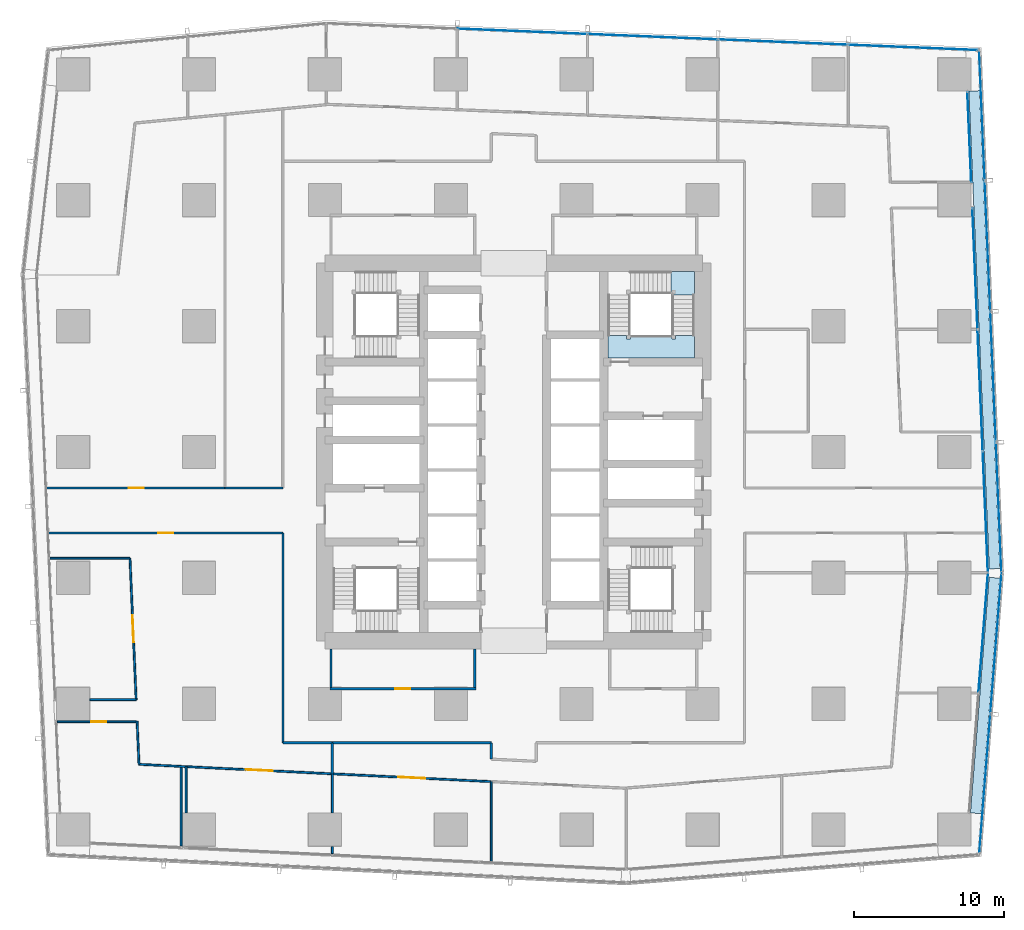
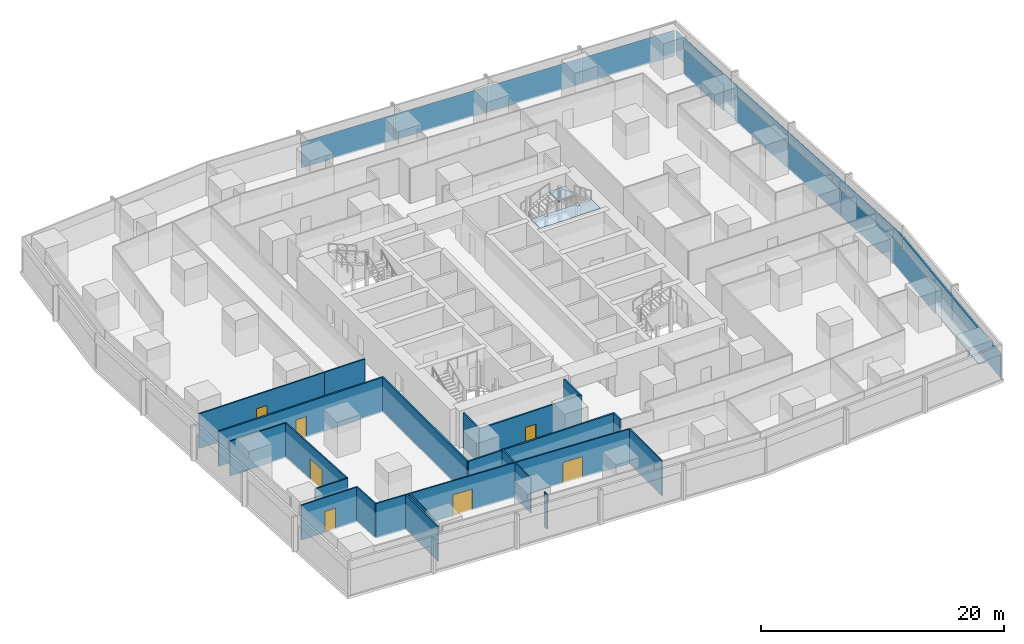
# One storey, part 31 of 44: 24 walls, 17 plates, 7 doors, 2 slabs, 7 openings, 7 elements without a shape of their own.
"""IFC4 building model written with IfcOpenShell, lengths in metres."""

from ifc_helpers import new_model, si_unit, direction, frame, frame_2d, origin, origin_2d, place, context, subcontext, project, spatial, polyline, rectangle, outline, extrude, material, layer, layer_set, type_object, element, fill, aggregate, save


model = new_model("IFC4")

# Units and contexts
model_context = context("Model", 3, precision=1e-05, world=origin(), true_north=direction((0.0, 1.0)))
body_context = subcontext(model_context, "Body", "Model", "MODEL_VIEW")
ifc_project = project(units=[si_unit("LENGTHUNIT", "METRE"), si_unit("AREAUNIT", "SQUARE_METRE"), si_unit("VOLUMEUNIT", "CUBIC_METRE"), si_unit("PLANEANGLEUNIT", "RADIAN"), si_unit("MASSUNIT", "GRAM", prefix="KILO")], contexts=[model_context])

# Site, building, storey
site_placement = place(None, origin())
site = spatial("IfcSite", under=ifc_project, at=site_placement, CompositionType="ELEMENT")
building_placement = place(site_placement, origin())
building = spatial("IfcBuilding", under=site, at=building_placement, Name="Rekha Terrace Tower", CompositionType="ELEMENT")
storey_placement = place(building_placement, frame((0.0, 0.0, 66.64990234375)))
storey = spatial("IfcBuildingStorey", under=building, at=storey_placement, Name="L16", CompositionType="ELEMENT", Elevation=66.64990234375)

# Curtain wall, plate
ifc_material_1 = material(Name="Aluminium framing", Category="aluminium")
curtain_wall_type_1 = type_object("IfcCurtainWallType", Name="CW1 double skin inner glazing", PredefinedType="USERDEFINED", material=ifc_material_1)
curtain_wall_1_placement = place(storey_placement, origin())
curtain_wall_1 = element("IfcCurtainWall", 1, at=curtain_wall_1_placement, inside=storey, type_object=curtain_wall_type_1, Name="CW1 double skin inner glazing", ObjectType="DOUBLE SKIN INNER GLAZING", PredefinedType="USERDEFINED")
ifc_material_2 = material(Name="Double-glazed low-e unit 32", Category="glass")
ifc_layer_1 = layer(ifc_material_2, 0.031982421875)
ifc_layer_set_1 = layer_set([ifc_layer_1], Name="Double-glazed low-e unit 32")
plate_type_1 = type_object("IfcPlateType", Name="CW1 jumbo vision panel, double-glazed low-e unit 32", PredefinedType="CURTAIN_PANEL", material=ifc_layer_set_1)
plate_1_placement = place(storey_placement, frame((69.1220703125, 21.53759765625, 0.0), z_axis=(0.0, 0.0, 1.0), x_axis=(0.079116301, 0.996865392576, 0.0)))
plate_1 = element("IfcPlate", 2, at=plate_1_placement, type_object=plate_type_1, Name="CW1 panel 2.1", PredefinedType="CURTAIN_PANEL", context=body_context, shape_type="SweptSolid", body=[
    extrude(rectangle(XDim=7.988525390625, YDim=0.031982421875, at=origin_2d()), origin(), (0.0, 0.0, 1.0), 2.60009765625),
])
aggregate(curtain_wall_1, [plate_1])

# Curtain wall, plates
curtain_wall_2_placement = place(storey_placement, origin())
curtain_wall_2 = element("IfcCurtainWall", 3, at=curtain_wall_2_placement, inside=storey, type_object=curtain_wall_type_1, Name="CW1 double skin inner glazing", ObjectType="DOUBLE SKIN INNER GLAZING", PredefinedType="USERDEFINED")
plate_2_placement = place(storey_placement, frame((69.263671875, 29.60107421875, 0.0), z_axis=(0.0, 0.0, 1.0), x_axis=(-0.042696072921, 0.999088106904, 0.0)))
plate_2 = element("IfcPlate", 4, at=plate_2_placement, type_object=plate_type_1, Name="CW1 panel 1.1", PredefinedType="CURTAIN_PANEL", context=body_context, shape_type="SweptSolid", body=[
    extrude(rectangle(XDim=8.041015625, YDim=0.031982421875, at=origin_2d()), origin(), (0.0, 0.0, 1.0), 2.60009765625),
])
plate_3_placement = place(storey_placement, frame((68.9169921875, 37.7158203125, 0.0), z_axis=(0.0, 0.0, 1.0), x_axis=(-0.042696072921, 0.999088106904, 0.0)))
plate_3 = element("IfcPlate", 5, at=plate_3_placement, type_object=plate_type_1, Name="CW1 panel 2.1", PredefinedType="CURTAIN_PANEL", context=body_context, shape_type="SweptSolid", body=[
    extrude(rectangle(XDim=8.073486328125, YDim=0.031982421875, at=origin_2d()), origin(), (0.0, 0.0, 1.0), 2.60009765625),
])
plate_4_placement = place(storey_placement, frame((68.5703125, 45.83056640625, 0.0), z_axis=(0.0, 0.0, 1.0), x_axis=(-0.042696072921, 0.999088106904, 0.0)))
plate_4 = element("IfcPlate", 6, at=plate_4_placement, type_object=plate_type_1, Name="CW1 panel 3.1", PredefinedType="CURTAIN_PANEL", context=body_context, shape_type="SweptSolid", body=[
    extrude(rectangle(XDim=8.041015625, YDim=0.031982421875, at=origin_2d()), origin(), (0.0, 0.0, 1.0), 2.60009765625),
])
aggregate(curtain_wall_2, [plate_2, plate_3, plate_4])

# Curtain wall, plate
curtain_wall_3_placement = place(storey_placement, origin())
curtain_wall_3 = element("IfcCurtainWall", 7, at=curtain_wall_3_placement, inside=storey, type_object=curtain_wall_type_1, Name="CW1 double skin inner glazing", ObjectType="DOUBLE SKIN INNER GLAZING", PredefinedType="USERDEFINED")
plate_5_placement = place(storey_placement, frame((68.195556640625, 54.60009765625, 0.0), z_axis=(0.0, 0.0, 1.0), x_axis=(-0.042696073026, 0.9990881069, 0.0)))
plate_5 = element("IfcPlate", 8, at=plate_5_placement, type_object=plate_type_1, Name="CW1 panel 1.1", PredefinedType="CURTAIN_PANEL", context=body_context, shape_type="SweptSolid", body=[
    extrude(rectangle(XDim=6.027587890625, YDim=0.031982421875, at=origin_2d()), origin(), (0.0, 0.0, 1.0), 2.60009765625),
])
aggregate(curtain_wall_3, [plate_5])

# Curtain wall, plates
curtain_wall_type_2 = type_object("IfcCurtainWallType", Name="CW2 double skin outer glazing", PredefinedType="USERDEFINED", material=ifc_material_1)
curtain_wall_4_placement = place(storey_placement, origin())
curtain_wall_4 = element("IfcCurtainWall", 9, at=curtain_wall_4_placement, inside=storey, type_object=curtain_wall_type_2, Name="CW2 double skin outer glazing", ObjectType="DOUBLE SKIN OUTER GLAZING", PredefinedType="USERDEFINED")
ifc_material_3 = material(Name="Toughened single glazing 12", Category="glass")
ifc_layer_2 = layer(ifc_material_3, 0.011962890625)
ifc_layer_set_2 = layer_set([ifc_layer_2], Name="Toughened single glazing 12")
plate_type_2 = type_object("IfcPlateType", Name="CW2 jumbo vision panel, toughened single glazing 12", PredefinedType="CURTAIN_PANEL", material=ifc_layer_set_2)
plate_6_placement = place(storey_placement, frame((69.22509765625, 11.45703125, 0.0), z_axis=(0.0, 0.0, 1.0), x_axis=(0.079116301017, 0.996865392575, 0.0)))
plate_6 = element("IfcPlate", 10, at=plate_6_placement, type_object=plate_type_2, Name="CW2 panel 1.1", PredefinedType="CURTAIN_PANEL", context=body_context, shape_type="SweptSolid", body=[
    extrude(rectangle(XDim=9.28662109375, YDim=0.011962890625, at=origin_2d()), origin(), (0.0, 0.0, 1.0), 2.60009765625),
])
plate_7_placement = place(storey_placement, frame((69.96923828125, 20.834228515625, 0.0), z_axis=(0.0, 0.0, 1.0), x_axis=(0.079116301017, 0.996865392575, 0.0)))
plate_7 = element("IfcPlate", 11, at=plate_7_placement, type_object=plate_type_2, Name="CW2 panel 2.1", PredefinedType="CURTAIN_PANEL", context=body_context, shape_type="SweptSolid", body=[
    extrude(rectangle(XDim=9.36669921875, YDim=0.011962890625, at=origin_2d()), origin(), (0.0, 0.0, 1.0), 2.60009765625),
])
aggregate(curtain_wall_4, [plate_6, plate_7])

curtain_wall_5_placement = place(storey_placement, origin())
curtain_wall_5 = element("IfcCurtainWall", 12, at=curtain_wall_5_placement, inside=storey, type_object=curtain_wall_type_2, Name="CW2 double skin outer glazing", ObjectType="DOUBLE SKIN OUTER GLAZING", PredefinedType="USERDEFINED")
plate_8_placement = place(storey_placement, frame((70.152099609375, 29.890869140625, 0.0), z_axis=(0.0, 0.0, 1.0), x_axis=(-0.042696072956, 0.999088106903, 0.0)))
plate_8 = element("IfcPlate", 13, at=plate_8_placement, type_object=plate_type_2, Name="CW2 panel 1.1", PredefinedType="CURTAIN_PANEL", context=body_context, shape_type="SweptSolid", body=[
    extrude(rectangle(XDim=8.623779296875, YDim=0.011962890625, at=origin_2d()), origin(), (0.0, 0.0, 1.0), 2.60009765625),
])
plate_9_placement = place(storey_placement, frame((69.77978515625, 38.606689453125, 0.0), z_axis=(0.0, 0.0, 1.0), x_axis=(-0.042696072956, 0.999088106903, 0.0)))
plate_9 = element("IfcPlate", 14, at=plate_9_placement, type_object=plate_type_2, Name="CW2 panel 2.1", PredefinedType="CURTAIN_PANEL", context=body_context, shape_type="SweptSolid", body=[
    extrude(rectangle(XDim=8.663818359375, YDim=0.011962890625, at=origin_2d()), origin(), (0.0, 0.0, 1.0), 2.60009765625),
])
plate_10_placement = place(storey_placement, frame((69.406494140625, 47.342529296875, 0.0), z_axis=(0.0, 0.0, 1.0), x_axis=(-0.042696072956, 0.999088106903, 0.0)))
plate_10 = element("IfcPlate", 15, at=plate_10_placement, type_object=plate_type_2, Name="CW2 panel 3.1", PredefinedType="CURTAIN_PANEL", context=body_context, shape_type="SweptSolid", body=[
    extrude(rectangle(XDim=8.663818359375, YDim=0.011962890625, at=origin_2d()), origin(), (0.0, 0.0, 1.0), 2.60009765625),
])
plate_11_placement = place(storey_placement, frame((69.033935546875, 56.058349609375, 0.0), z_axis=(0.0, 0.0, 1.0), x_axis=(-0.042696072956, 0.999088106903, 0.0)))
plate_11 = element("IfcPlate", 16, at=plate_11_placement, type_object=plate_type_2, Name="CW2 panel 4.1", PredefinedType="CURTAIN_PANEL", context=body_context, shape_type="SweptSolid", body=[
    extrude(rectangle(XDim=8.623779296875, YDim=0.011962890625, at=origin_2d()), origin(), (0.0, 0.0, 1.0), 2.60009765625),
])
aggregate(curtain_wall_5, [plate_8, plate_9, plate_10, plate_11])

curtain_wall_type_3 = type_object("IfcCurtainWallType", Name="CW3 north unitised glazing", PredefinedType="USERDEFINED", material=ifc_material_1)
curtain_wall_6_placement = place(storey_placement, origin())
curtain_wall_6 = element("IfcCurtainWall", 17, at=curtain_wall_6_placement, inside=storey, type_object=curtain_wall_type_3, Name="CW3 unitised curtain wall", ObjectType="UNITISED CURTAIN WALL", PredefinedType="USERDEFINED")
ifc_material_4 = material(Name="Double-glazed unit 28", Category="glass")
ifc_layer_3 = layer(ifc_material_4, 0.028076171875)
ifc_layer_set_3 = layer_set([ifc_layer_3], Name="Double-glazed unit 28")
plate_type_3 = type_object("IfcPlateType", Name="CW3 jumbo vision panel, double-glazed unit 28", PredefinedType="CURTAIN_PANEL", material=ifc_layer_set_3)
plate_12_placement = place(storey_placement, frame((64.4423828125, 60.587646484375, 0.0), z_axis=(0.0, 0.0, 1.0), x_axis=(-0.999151997647, 0.041173846041, 0.0)))
plate_12 = element("IfcPlate", 18, at=plate_12_placement, type_object=plate_type_3, Name="CW3 panel 1.1", PredefinedType="CURTAIN_PANEL", context=body_context, shape_type="SweptSolid", body=[
    extrude(rectangle(XDim=8.598876953125, YDim=0.028076171875, at=origin_2d()), origin(), (0.0, 0.0, 1.0), 2.60009765625),
])
plate_13_placement = place(storey_placement, frame((55.76318359375, 60.9453125, 0.0), z_axis=(0.0, 0.0, 1.0), x_axis=(-0.999151997647, 0.041173846041, 0.0)))
plate_13 = element("IfcPlate", 19, at=plate_13_placement, type_object=plate_type_3, Name="CW3 panel 2.1", PredefinedType="CURTAIN_PANEL", context=body_context, shape_type="SweptSolid", body=[
    extrude(rectangle(XDim=8.6337890625, YDim=0.028076171875, at=origin_2d()), origin(), (0.0, 0.0, 1.0), 2.60009765625),
])
plate_14_placement = place(storey_placement, frame((47.066650390625, 61.3037109375, 0.0), z_axis=(0.0, 0.0, 1.0), x_axis=(-0.999151997647, 0.041173846041, 0.0)))
plate_14 = element("IfcPlate", 20, at=plate_14_placement, type_object=plate_type_3, Name="CW3 panel 3.1", PredefinedType="CURTAIN_PANEL", context=body_context, shape_type="SweptSolid", body=[
    extrude(rectangle(XDim=8.6337890625, YDim=0.028076171875, at=origin_2d()), origin(), (0.0, 0.0, 1.0), 2.60009765625),
])
plate_15_placement = place(storey_placement, frame((38.370361328125, 61.662109375, 0.0), z_axis=(0.0, 0.0, 1.0), x_axis=(-0.999151997647, 0.041173846041, 0.0)))
plate_15 = element("IfcPlate", 21, at=plate_15_placement, type_object=plate_type_3, Name="CW3 panel 4.1", PredefinedType="CURTAIN_PANEL", context=body_context, shape_type="SweptSolid", body=[
    extrude(rectangle(XDim=8.6337890625, YDim=0.028076171875, at=origin_2d()), origin(), (0.0, 0.0, 1.0), 2.60009765625),
])
aggregate(curtain_wall_6, [plate_12, plate_13, plate_14, plate_15])

# Plates
ifc_material_5 = material(Name="Galvanised steel open grating", Category="steel")
ifc_layer_4 = layer(ifc_material_5, 0.050048828125)
ifc_layer_set_4 = layer_set([ifc_layer_4], Name="Galvanised steel open grating")
plate_type_4 = type_object("IfcPlateType", Name="GT1 cavity walkway grating 50", PredefinedType="USERDEFINED", material=ifc_layer_set_4)
plate_16_placement = place(storey_placement, frame((69.241455078125, 17.353515625, 0.0), z_axis=(0.0, 0.0, 1.0), x_axis=(0.079116301, 0.996865392576, 0.0)))
element("IfcPlate", 22, at=plate_16_placement, inside=storey, type_object=plate_type_4, Name="Cavity walkway grating", ObjectType="CAVITY WALKWAY GRATING", PredefinedType="USERDEFINED", context=body_context, shape_type="SweptSolid", body=[
    extrude(rectangle(XDim=15.7666015625, YDim=0.705078125, at=origin_2d()), origin(), (0.0, 0.0, 1.0), 0.050048828125),
])
plate_17_placement = place(storey_placement, frame((69.195068359375, 41.75, 0.0), z_axis=(0.0, 0.0, 1.0), x_axis=(-0.042696072939, 0.999088106903, 0.0)))
element("IfcPlate", 23, at=plate_17_placement, inside=storey, type_object=plate_type_4, Name="Cavity walkway grating", ObjectType="CAVITY WALKWAY GRATING", PredefinedType="USERDEFINED", context=body_context, shape_type="SweptSolid", body=[
    extrude(rectangle(XDim=31.9072265625, YDim=0.705078125, at=origin_2d()), origin(), (0.0, 0.0, 1.0), 0.050048828125),
])

# Stair, slabs
ifc_material_6 = material(Name="Concrete M40", Category="concrete")
stair_type = type_object("IfcStairType", Name="ST30 stair, 30 risers of 125, going 300, 1500 wide flights, 3 flights", PredefinedType="HALF_TURN_STAIR", material=ifc_material_6)
stair_placement = place(storey_placement, origin())
stair = element("IfcStair", 24, at=stair_placement, inside=storey, type_object=stair_type, Name="Stair ST2 L16 to L17", PredefinedType="HALF_TURN_STAIR")
ifc_layer_5 = layer(ifc_material_6, 0.199951171875)
ifc_layer_set_5 = layer_set([ifc_layer_5], Name="Concrete M40")
slab_type = type_object("IfcSlabType", Name="LD1 200 concrete stair landing", PredefinedType="LANDING", material=ifc_layer_set_5)
slab_1_placement = place(storey_placement, frame((0.0, 0.0, 2.300048828125)))
slab_1 = element("IfcSlab", 25, at=slab_1_placement, type_object=slab_type, Name="ST2 landing 2", PredefinedType="LANDING", context=body_context, shape_type="SweptSolid", body=[
    extrude(outline(polyline([(48.35009765625, 44.074951171875), (49.85009765625, 44.074951171875), (49.85009765625, 45.64990234375), (48.27490234375, 45.64990234375), (48.27490234375, 44.14990234375), (48.35009765625, 44.14990234375), (48.35009765625, 44.074951171875)])), origin(), (0.0, 0.0, 1.0), 0.199951171875),
])
slab_2_placement = place(storey_placement, frame((0.0, 0.0, 3.550048828125)))
slab_2 = element("IfcSlab", 26, at=slab_2_placement, type_object=slab_type, Name="ST2 landing 3", PredefinedType="LANDING", context=body_context, shape_type="SweptSolid", body=[
    extrude(outline(polyline([(44.074951171875, 41.375), (44.074951171875, 39.875), (49.85009765625, 39.875), (49.85009765625, 41.375), (48.60009765625, 41.375), (48.60009765625, 41.125), (48.35009765625, 41.125), (48.35009765625, 41.375), (45.574951171875, 41.375), (45.574951171875, 41.125), (45.324951171875, 41.125), (45.324951171875, 41.375), (44.074951171875, 41.375)])), origin(), (0.0, 0.0, 1.0), 0.199951171875),
])
aggregate(stair, [slab_1, slab_2])

# Wall, opening, door
ifc_material_7 = material(Name="Concrete block masonry, 1 hour", Category="masonry")
ifc_layer_6 = layer(ifc_material_7, 0.14990234375)
ifc_layer_set_6 = layer_set([ifc_layer_6], Name="Concrete block masonry, 1 hour")
wall_type_1 = type_object("IfcWallType", Name="WP2 150 tenancy partition", PredefinedType="PARTITIONING", material=ifc_layer_set_6)
wall_1_placement = place(storey_placement, frame((25.52490234375, 17.800048828125, 0.0), z_axis=(0.0, 0.0, 1.0), x_axis=(1.0, 0.0, 0.0)))
wall_1 = element("IfcWall", 27, at=wall_1_placement, inside=storey, type_object=wall_type_1, Name="Men's WC wall L16", PredefinedType="PARTITIONING", context=body_context, shape_type="SweptSolid", body=[
    extrude(rectangle(XDim=9.75, YDim=0.14990234375, at=frame_2d((4.875, 0.0))), origin(), (0.0, 0.0, 1.0), 3.5),
])
opening_1_placement = place(wall_1_placement, frame((4.375, 0.0, 0.0)))
opening_1 = element("IfcOpeningElement", 28, at=opening_1_placement, cuts=wall_1, Name="Opening D3", PredefinedType="OPENING", context=body_context, shape_type="SweptSolid", body=[
    extrude(rectangle(XDim=1.0, YDim=2.10009765625, at=frame_2d((0.5, 1.050048828125))), frame((0.0, 0.0849609375, 0.0), z_axis=(0.0, -1.0, 0.0), x_axis=(1.0, 0.0, 0.0)), (0.0, 0.0, 1.0), 0.169921875),
])
ifc_material_8 = material(Name="Laminated timber fire door", Category="wood")
door_type_1 = type_object("IfcDoorType", Name="D3 1000x2100 WC door", OperationType="SINGLE_SWING_LEFT", PredefinedType="DOOR", material=ifc_material_8)
door_1_placement = place(opening_1_placement, origin())
door_1 = element("IfcDoor", 29, at=door_1_placement, inside=storey, type_object=door_type_1, Name="Door men's wc L16", OperationType="SINGLE_SWING_LEFT", OverallHeight=2.10009765625, OverallWidth=1.0, PredefinedType="DOOR", context=body_context, shape_type="SweptSolid", body=[
    extrude(rectangle(XDim=1.0, YDim=2.10009765625, at=frame_2d((0.5, 1.050048828125))), frame((0.0, 0.02490234375, 0.0), z_axis=(0.0, -1.0, 0.0), x_axis=(1.0, 0.0, 0.0)), (0.0, 0.0, 1.0), 0.050048828125),
])
fill(opening_1, door_1)

# Walls
for number, where, z_axis, x_axis, name in (
    (30, (25.60009765625, 17.875, 0.0), (0.0, 0.0, 1.0), (0.0, 1.0, 0.0), "Men's WC wall L16"),
    (31, (35.199951171875, 17.875, 0.0), (0.0, 0.0, 1.0), (0.0, 1.0, 0.0), "Men's WC wall L16"),
):
    element("IfcWall", number, at=place(storey_placement, frame(where, z_axis=z_axis, x_axis=x_axis)), inside=storey, type_object=wall_type_1, Name=name, PredefinedType="PARTITIONING", context=body_context, shape_type="SweptSolid", body=[
        extrude(rectangle(XDim=2.574951171875, YDim=0.14990234375, at=frame_2d((1.28759765625, 0.0))), origin(), (0.0, 0.0, 1.0), 3.5),
    ])
wall_2_placement = place(storey_placement, frame((25.697021484375, 12.1298828125, 0.0), z_axis=(0.0, 0.0, 1.0), x_axis=(0.0, 1.0, 0.0)))
element("IfcWall", 32, at=wall_2_placement, inside=storey, type_object=wall_type_1, Name="Partition L16-O1", PredefinedType="PARTITIONING", context=body_context, shape_type="SweptSolid", body=[
    extrude(rectangle(XDim=2.070068359375, YDim=0.14990234375, at=frame_2d((1.03515625, 0.0))), origin(), (0.0, 0.0, 1.0), 3.5),
])
wall_3_placement = place(storey_placement, frame((25.697021484375, 14.199951171875, 0.0), z_axis=(0.0, 0.0, 1.0), x_axis=(1.0, 0.0, 0.0)))
element("IfcWall", 33, at=wall_3_placement, inside=storey, type_object=wall_type_1, Name="Partition L16-O1", PredefinedType="PARTITIONING", context=body_context, shape_type="SweptSolid", body=[
    extrude(rectangle(XDim=10.60302734375, YDim=0.14990234375, at=frame_2d((5.301513671875, 0.0))), origin(), (0.0, 0.0, 1.0), 3.5),
])
wall_4_placement = place(storey_placement, frame((36.300048828125, 14.199951171875, 0.0), z_axis=(0.0, 0.0, 1.0), x_axis=(0.0, -1.0, 0.0)))
element("IfcWall", 34, at=wall_4_placement, inside=storey, type_object=wall_type_1, Name="Partition L16-O1", PredefinedType="PARTITIONING", context=body_context, shape_type="SweptSolid", body=[
    extrude(rectangle(XDim=1.0888671875, YDim=0.14990234375, at=frame_2d((0.54443359375, 0.0))), origin(), (0.0, 0.0, 1.0), 3.5),
])

# Wall, opening, door
wall_5_placement = place(storey_placement, frame((6.76708984375, 28.199951171875, 0.0), z_axis=(0.0, 0.0, 1.0), x_axis=(1.0, 0.0, 0.0)))
wall_5 = element("IfcWall", 35, at=wall_5_placement, inside=storey, type_object=wall_type_1, Name="Partition L16-O4", PredefinedType="PARTITIONING", context=body_context, shape_type="SweptSolid", body=[
    extrude(rectangle(XDim=15.6328125, YDim=0.14990234375, at=frame_2d((7.81640625, 0.0))), origin(), (0.0, 0.0, 1.0), 3.5),
])
opening_2_placement = place(wall_5_placement, frame((7.3310546875, 0.0, 0.0)))
opening_2 = element("IfcOpeningElement", 36, at=opening_2_placement, cuts=wall_5, Name="Opening D9", PredefinedType="OPENING", context=body_context, shape_type="SweptSolid", body=[
    extrude(rectangle(XDim=1.0, YDim=2.10009765625, at=frame_2d((0.5, 1.050048828125))), frame((0.0, 0.0849609375, 0.0), z_axis=(0.0, -1.0, 0.0), x_axis=(1.0, 0.0, 0.0)), (0.0, 0.0, 1.0), 0.169921875),
])
ifc_material_9 = material(Name="Timber fire door", Category="wood")
door_type_2 = type_object("IfcDoorType", Name="D9 1000x2100 office door", OperationType="SINGLE_SWING_LEFT", PredefinedType="DOOR", material=ifc_material_9)
door_2_placement = place(opening_2_placement, origin())
door_2 = element("IfcDoor", 37, at=door_2_placement, inside=storey, type_object=door_type_2, Name="Door open-plan office L16", OperationType="SINGLE_SWING_LEFT", OverallHeight=2.10009765625, OverallWidth=1.0, PredefinedType="DOOR", context=body_context, shape_type="SweptSolid", body=[
    extrude(rectangle(XDim=1.0, YDim=2.10009765625, at=frame_2d((0.5, 1.050048828125))), frame((0.0, 0.02490234375, 0.0), z_axis=(0.0, -1.0, 0.0), x_axis=(1.0, 0.0, 0.0)), (0.0, 0.0, 1.0), 0.050048828125),
])
fill(opening_2, door_2)

# Walls
wall_6_placement = place(storey_placement, frame((22.39990234375, 28.199951171875, 0.0), z_axis=(0.0, 0.0, 1.0), x_axis=(0.0, -1.0, 0.0)))
element("IfcWall", 38, at=wall_6_placement, inside=storey, type_object=wall_type_1, Name="Partition L16-O4", PredefinedType="PARTITIONING", context=body_context, shape_type="SweptSolid", body=[
    extrude(rectangle(XDim=14.0, YDim=0.14990234375, at=frame_2d((7.0, 0.0))), origin(), (0.0, 0.0, 1.0), 3.5),
])
wall_7_placement = place(storey_placement, frame((22.39990234375, 14.199951171875, 0.0), z_axis=(0.0, 0.0, 1.0), x_axis=(1.0, 0.0, 0.0)))
element("IfcWall", 39, at=wall_7_placement, inside=storey, type_object=wall_type_1, Name="Partition L16-O4", PredefinedType="PARTITIONING", context=body_context, shape_type="SweptSolid", body=[
    extrude(rectangle(XDim=3.296142578125, YDim=0.14990234375, at=frame_2d((1.64794921875, 0.0))), origin(), (0.0, 0.0, 1.0), 3.5),
])
ifc_material_10 = material(Name="Two layers of fire-rated gypsum board each side on steel studs, acoustic quilt, 1 hour", Category="steel")
ifc_layer_7 = layer(ifc_material_10, 0.125)
ifc_layer_set_7 = layer_set([ifc_layer_7], Name="Two layers of fire-rated gypsum board each side on steel studs, acoustic quilt, 1 hour")
wall_type_2 = type_object("IfcWallType", Name="WP3 125 office partition", PredefinedType="PARTITIONING", material=ifc_layer_set_7)
wall_8_placement = place(storey_placement, frame((36.299072265625, 6.2529296875, 0.0), z_axis=(0.0, 0.0, 1.0), x_axis=(0.0, 1.0, 0.0)))
element("IfcWall", 40, at=wall_8_placement, inside=storey, type_object=wall_type_2, Name="Partition L16-02", PredefinedType="PARTITIONING", context=body_context, shape_type="SweptSolid", body=[
    extrude(rectangle(XDim=5.35595703125, YDim=0.125, at=frame_2d((2.677978515625, 0.0))), origin(), (0.0, 0.0, 1.0), 3.5),
])

# Wall, opening, door
wall_9_placement = place(storey_placement, frame((25.697021484375, 12.1298828125, 0.0), z_axis=(0.0, 0.0, 1.0), x_axis=(0.99879453849, -0.049086351277, 0.0)))
wall_9 = element("IfcWall", 41, at=wall_9_placement, inside=storey, type_object=wall_type_2, Name="Partition L16-06", PredefinedType="PARTITIONING", context=body_context, shape_type="SweptSolid", body=[
    extrude(rectangle(XDim=10.61376953125, YDim=0.125, at=frame_2d((5.306884765625, 0.0))), origin(), (0.0, 0.0, 1.0), 3.5),
])
opening_3_placement = place(wall_9_placement, frame((4.406982421875, 0.0, 0.0)))
opening_3 = element("IfcOpeningElement", 42, at=opening_3_placement, cuts=wall_9, Name="Opening D8", PredefinedType="OPENING", context=body_context, shape_type="SweptSolid", body=[
    extrude(rectangle(XDim=1.800048828125, YDim=2.10009765625, at=frame_2d((0.89990234375, 1.050048828125))), frame((0.0, 0.072509765625, 0.0), z_axis=(0.0, -1.0, 0.0), x_axis=(1.0, 0.0, 0.0)), (0.0, 0.0, 1.0), 0.14501953125),
])
door_type_3 = type_object("IfcDoorType", Name="D8 1800x2100 double leaf door", OperationType="DOUBLE_DOOR_SINGLE_SWING", PredefinedType="DOOR", material=ifc_material_9)
door_3_placement = place(opening_3_placement, origin())
door_3 = element("IfcDoor", 43, at=door_3_placement, inside=storey, type_object=door_type_3, Name="Door print room L16", OperationType="DOUBLE_DOOR_SINGLE_SWING", OverallHeight=2.10009765625, OverallWidth=1.800048828125, PredefinedType="DOOR", context=body_context, shape_type="SweptSolid", body=[
    extrude(rectangle(XDim=1.800048828125, YDim=2.10009765625, at=frame_2d((0.89990234375, 1.050048828125))), frame((0.0, 0.02490234375, 0.0), z_axis=(0.0, -1.0, 0.0), x_axis=(1.0, 0.0, 0.0)), (0.0, 0.0, 1.0), 0.050048828125),
])
fill(opening_3, door_3)

# Walls
wall_10_placement = place(storey_placement, frame((25.697021484375, 6.802978515625, 0.0), z_axis=(0.0, 0.0, 1.0), x_axis=(0.0, 1.0, 0.0)))
element("IfcWall", 44, at=wall_10_placement, inside=storey, type_object=wall_type_2, Name="Partition L16-06", PredefinedType="PARTITIONING", context=body_context, shape_type="SweptSolid", body=[
    extrude(rectangle(XDim=0.47705078125, YDim=0.125, at=frame_2d((0.238525390625, 0.0))), origin(), (0.0, 0.0, 1.0), 3.5),
])
wall_11_placement = place(storey_placement, frame((25.697021484375, 9.52001953125, 0.0), z_axis=(0.0, 0.0, 1.0), x_axis=(0.0, 1.0, 0.0)))
element("IfcWall", 45, at=wall_11_placement, inside=storey, type_object=wall_type_2, Name="Partition L16-06", PredefinedType="PARTITIONING", context=body_context, shape_type="SweptSolid", body=[
    extrude(rectangle(XDim=2.60986328125, YDim=0.125, at=frame_2d((1.304931640625, 0.0))), origin(), (0.0, 0.0, 1.0), 3.5),
])

# Wall, opening, door
wall_12_placement = place(storey_placement, frame((18.531982421875, 31.199951171875, 0.0), z_axis=(0.0, 0.0, 1.0), x_axis=(-1.0, 0.0, 0.0)))
wall_12 = element("IfcWall", 46, at=wall_12_placement, inside=storey, type_object=wall_type_2, Name="Partition L16-18", PredefinedType="PARTITIONING", context=body_context, shape_type="SweptSolid", body=[
    extrude(rectangle(XDim=11.89697265625, YDim=0.125, at=frame_2d((5.948486328125, 0.0))), origin(), (0.0, 0.0, 1.0), 3.5),
])
opening_4_placement = place(wall_12_placement, frame((5.43310546875, 0.0, 0.0)))
opening_4 = element("IfcOpeningElement", 47, at=opening_4_placement, cuts=wall_12, Name="Opening D9", PredefinedType="OPENING", context=body_context, shape_type="SweptSolid", body=[
    extrude(rectangle(XDim=1.0, YDim=2.10009765625, at=frame_2d((0.5, 1.050048828125))), frame((0.0, 0.072509765625, 0.0), z_axis=(0.0, -1.0, 0.0), x_axis=(1.0, 0.0, 0.0)), (0.0, 0.0, 1.0), 0.14501953125),
])
door_4_placement = place(opening_4_placement, origin())
door_4 = element("IfcDoor", 48, at=door_4_placement, inside=storey, type_object=door_type_2, Name="Door office L16", OperationType="SINGLE_SWING_LEFT", OverallHeight=2.10009765625, OverallWidth=1.0, PredefinedType="DOOR", context=body_context, shape_type="SweptSolid", body=[
    extrude(rectangle(XDim=1.0, YDim=2.10009765625, at=frame_2d((0.5, 1.050048828125))), frame((0.0, 0.02490234375, 0.0), z_axis=(0.0, -1.0, 0.0), x_axis=(1.0, 0.0, 0.0)), (0.0, 0.0, 1.0), 0.050048828125),
])
fill(opening_4, door_4)

# Wall
wall_13_placement = place(storey_placement, frame((22.39990234375, 31.199951171875, 0.0), z_axis=(0.0, 0.0, 1.0), x_axis=(-1.0, 0.0, 0.0)))
element("IfcWall", 49, at=wall_13_placement, inside=storey, type_object=wall_type_2, Name="Partition L16-19", PredefinedType="PARTITIONING", context=body_context, shape_type="SweptSolid", body=[
    extrude(rectangle(XDim=3.867919921875, YDim=0.125, at=frame_2d((1.93408203125, 0.0))), origin(), (0.0, 0.0, 1.0), 3.5),
])

# Wall, opening, door
wall_14_placement = place(storey_placement, frame((12.196044921875, 26.511962890625, 0.0), z_axis=(0.0, 0.0, 1.0), x_axis=(0.043625757269, -0.999047943445, 0.0)))
wall_14 = element("IfcWall", 50, at=wall_14_placement, inside=storey, type_object=wall_type_2, Name="Partition L16-20", PredefinedType="PARTITIONING", context=body_context, shape_type="SweptSolid", body=[
    extrude(rectangle(XDim=9.44091796875, YDim=0.125, at=frame_2d((4.720458984375, 0.0))), origin(), (0.0, 0.0, 1.0), 3.5),
])
opening_5_placement = place(wall_14_placement, frame((3.820068359375, 0.0, 0.0)))
opening_5 = element("IfcOpeningElement", 51, at=opening_5_placement, cuts=wall_14, Name="Opening D8", PredefinedType="OPENING", context=body_context, shape_type="SweptSolid", body=[
    extrude(rectangle(XDim=1.800048828125, YDim=2.10009765625, at=frame_2d((0.89990234375, 1.050048828125))), frame((0.0, 0.072509765625, 0.0), z_axis=(0.0, -1.0, 0.0), x_axis=(1.0, 0.0, 0.0)), (0.0, 0.0, 1.0), 0.14501953125),
])
door_5_placement = place(opening_5_placement, origin())
door_5 = element("IfcDoor", 52, at=door_5_placement, inside=storey, type_object=door_type_3, Name="Door breakout lounge L16", OperationType="DOUBLE_DOOR_SINGLE_SWING", OverallHeight=2.10009765625, OverallWidth=1.800048828125, PredefinedType="DOOR", context=body_context, shape_type="SweptSolid", body=[
    extrude(rectangle(XDim=1.800048828125, YDim=2.10009765625, at=frame_2d((0.89990234375, 1.050048828125))), frame((0.0, 0.02490234375, 0.0), z_axis=(0.0, -1.0, 0.0), x_axis=(1.0, 0.0, 0.0)), (0.0, 0.0, 1.0), 0.050048828125),
])
fill(opening_5, door_5)

# Walls
wall_15_placement = place(storey_placement, frame((12.60791015625, 17.080078125, 0.0), z_axis=(0.0, 0.0, 1.0), x_axis=(-1.0, 0.0, 0.0)))
element("IfcWall", 53, at=wall_15_placement, inside=storey, type_object=wall_type_2, Name="Partition L16-20", PredefinedType="PARTITIONING", context=body_context, shape_type="SweptSolid", body=[
    extrude(rectangle(XDim=3.087890625, YDim=0.125, at=frame_2d((1.5439453125, 0.0))), origin(), (0.0, 0.0, 1.0), 3.5),
])
wall_16_placement = place(storey_placement, frame((6.87109375, 26.511962890625, 0.0), z_axis=(0.0, 0.0, 1.0), x_axis=(1.0, 0.0, 0.0)))
element("IfcWall", 54, at=wall_16_placement, inside=storey, type_object=wall_type_2, Name="Partition L16-20", PredefinedType="PARTITIONING", context=body_context, shape_type="SweptSolid", body=[
    extrude(rectangle(XDim=5.324951171875, YDim=0.125, at=frame_2d((2.66259765625, 0.0))), origin(), (0.0, 0.0, 1.0), 3.5),
])

# Wall, opening, door
wall_17_placement = place(storey_placement, frame((7.346923828125, 15.60791015625, 0.0), z_axis=(0.0, 0.0, 1.0), x_axis=(1.0, 0.0, 0.0)))
wall_17 = element("IfcWall", 55, at=wall_17_placement, inside=storey, type_object=wall_type_2, Name="Partition L16-21", PredefinedType="PARTITIONING", context=body_context, shape_type="SweptSolid", body=[
    extrude(rectangle(XDim=5.26318359375, YDim=0.125, at=frame_2d((2.631591796875, 0.0))), origin(), (0.0, 0.0, 1.0), 3.5),
])
opening_6_placement = place(wall_17_placement, frame((2.261962890625, 0.0, 0.0)))
opening_6 = element("IfcOpeningElement", 56, at=opening_6_placement, cuts=wall_17, Name="Opening D9", PredefinedType="OPENING", context=body_context, shape_type="SweptSolid", body=[
    extrude(rectangle(XDim=1.0, YDim=2.10009765625, at=frame_2d((0.5, 1.050048828125))), frame((0.0, 0.072509765625, 0.0), z_axis=(0.0, -1.0, 0.0), x_axis=(1.0, 0.0, 0.0)), (0.0, 0.0, 1.0), 0.14501953125),
])
door_6_placement = place(opening_6_placement, origin())
door_6 = element("IfcDoor", 57, at=door_6_placement, inside=storey, type_object=door_type_2, Name="Door director's office L16", OperationType="SINGLE_SWING_LEFT", OverallHeight=2.10009765625, OverallWidth=1.0, PredefinedType="DOOR", context=body_context, shape_type="SweptSolid", body=[
    extrude(rectangle(XDim=1.0, YDim=2.10009765625, at=frame_2d((0.5, 1.050048828125))), frame((0.0, 0.02490234375, 0.0), z_axis=(0.0, -1.0, 0.0), x_axis=(1.0, 0.0, 0.0)), (0.0, 0.0, 1.0), 0.050048828125),
])
fill(opening_6, door_6)

# Walls
wall_18_placement = place(storey_placement, frame((12.6708984375, 15.64306640625, 0.0), z_axis=(0.0, 0.0, 1.0), x_axis=(0.043782676762, -0.999041078843, 0.0)))
element("IfcWall", 58, at=wall_18_placement, inside=storey, type_object=wall_type_2, Name="Partition L16-21", PredefinedType="PARTITIONING", context=body_context, shape_type="SweptSolid", body=[
    extrude(rectangle(XDim=2.8828125, YDim=0.125, at=frame_2d((1.44140625, 0.0))), origin(), (0.0, 0.0, 1.0), 3.5),
])
wall_19_placement = place(storey_placement, frame((12.797119140625, 12.762939453125, 0.0), z_axis=(0.0, 0.0, 1.0), x_axis=(0.998790140287, -0.049175762993, 0.0)))
element("IfcWall", 59, at=wall_19_placement, inside=storey, type_object=wall_type_2, Name="Partition L16-21", PredefinedType="PARTITIONING", context=body_context, shape_type="SweptSolid", body=[
    extrude(rectangle(XDim=3.1328125, YDim=0.125, at=frame_2d((1.56640625, 0.0))), origin(), (0.0, 0.0, 1.0), 3.5),
])
wall_20_placement = place(storey_placement, frame((15.60791015625, 12.56201171875, 0.0), z_axis=(0.0, 0.0, 1.0), x_axis=(0.0, -1.0, 0.0)))
element("IfcWall", 60, at=wall_20_placement, inside=storey, type_object=wall_type_2, Name="Partition L16-21", PredefinedType="PARTITIONING", context=body_context, shape_type="SweptSolid", body=[
    extrude(rectangle(XDim=5.262939453125, YDim=0.125, at=frame_2d((2.63134765625, 0.0))), origin(), (0.0, 0.0, 1.0), 3.5),
])

# Wall, opening, door
wall_21_placement = place(storey_placement, frame((15.94091796875, 12.60888671875, 0.0), z_axis=(0.0, 0.0, 1.0), x_axis=(0.998796633854, -0.049043696865, 0.0)))
wall_21 = element("IfcWall", 61, at=wall_21_placement, inside=storey, type_object=wall_type_2, Name="Partition L16-22", PredefinedType="PARTITIONING", context=body_context, shape_type="SweptSolid", body=[
    extrude(rectangle(XDim=9.766845703125, YDim=0.125, at=frame_2d((4.88330078125, 0.0))), origin(), (0.0, 0.0, 1.0), 3.5),
])
opening_7_placement = place(wall_21_placement, frame((3.98291015625, 0.0, 0.0)))
opening_7 = element("IfcOpeningElement", 62, at=opening_7_placement, cuts=wall_21, Name="Opening D8", PredefinedType="OPENING", context=body_context, shape_type="SweptSolid", body=[
    extrude(rectangle(XDim=1.800048828125, YDim=2.10009765625, at=frame_2d((0.89990234375, 1.050048828125))), frame((0.0, 0.072509765625, 0.0), z_axis=(0.0, -1.0, 0.0), x_axis=(1.0, 0.0, 0.0)), (0.0, 0.0, 1.0), 0.14501953125),
])
door_7_placement = place(opening_7_placement, origin())
door_7 = element("IfcDoor", 63, at=door_7_placement, inside=storey, type_object=door_type_3, Name="Door print room L16", OperationType="DOUBLE_DOOR_SINGLE_SWING", OverallHeight=2.10009765625, OverallWidth=1.800048828125, PredefinedType="DOOR", context=body_context, shape_type="SweptSolid", body=[
    extrude(rectangle(XDim=1.800048828125, YDim=2.10009765625, at=frame_2d((0.89990234375, 1.050048828125))), frame((0.0, 0.02490234375, 0.0), z_axis=(0.0, -1.0, 0.0), x_axis=(1.0, 0.0, 0.0)), (0.0, 0.0, 1.0), 0.050048828125),
])
fill(opening_7, door_7)

# Wall
wall_22_placement = place(storey_placement, frame((15.94091796875, 9.52001953125, 0.0), z_axis=(0.0, 0.0, 1.0), x_axis=(0.0, 1.0, 0.0)))
element("IfcWall", 64, at=wall_22_placement, inside=storey, type_object=wall_type_2, Name="Partition L16-22", PredefinedType="PARTITIONING", context=body_context, shape_type="SweptSolid", body=[
    extrude(rectangle(XDim=3.0888671875, YDim=0.125, at=frame_2d((1.54443359375, 0.0))), origin(), (0.0, 0.0, 1.0), 3.5),
])

save(model, "model.ifc")
